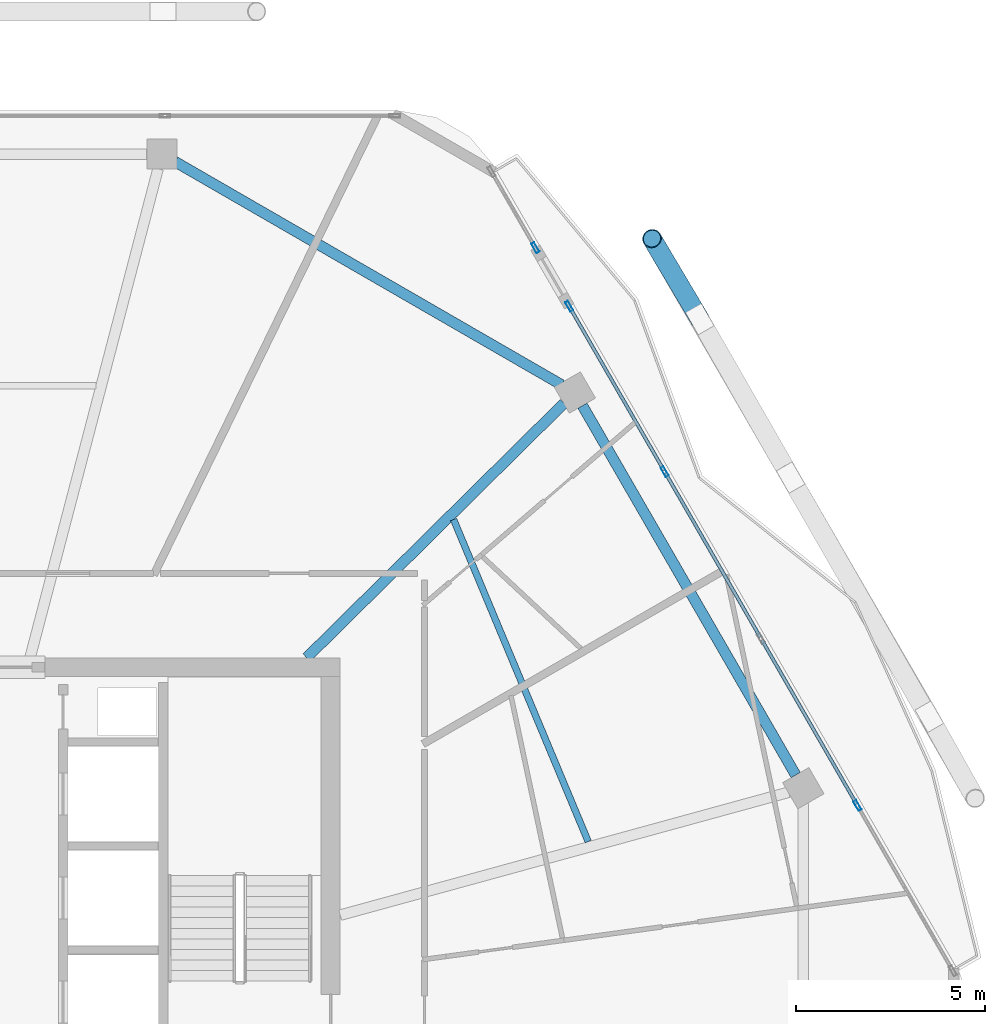
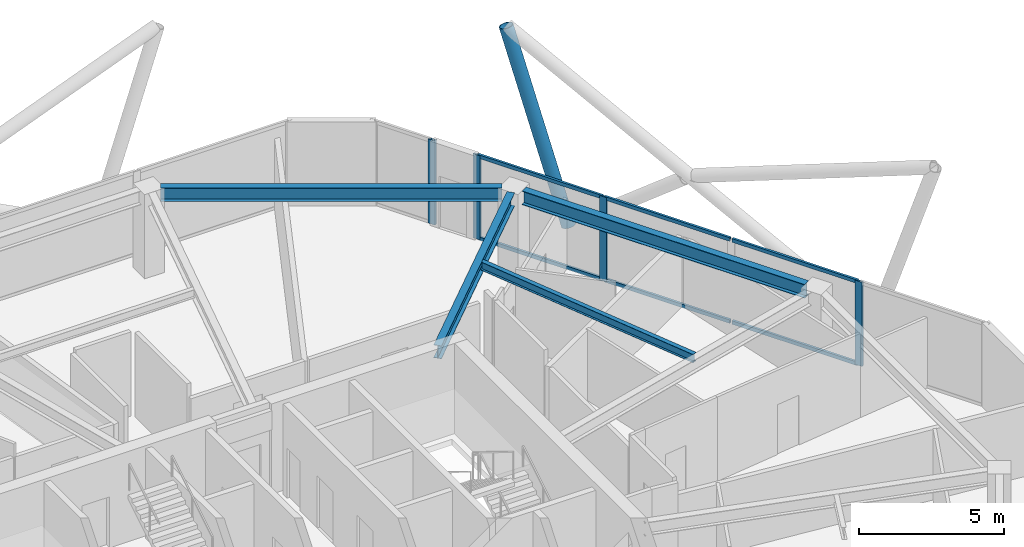
# One storey, part 13 of 24: 11 members, 4 beams, 2 elements without a shape of their own.
"""IFC4 building model written with IfcOpenShell, lengths in metres."""

from ifc_helpers import new_model, si_unit, direction, frame, origin, origin_2d, place, context, subcontext, project, spatial, hollow_rectangle, hollow_circle, i_section, extrude, material, material_profile, profile_set, type_object, element, aggregate, save


model = new_model("IFC4")

# Units and contexts
model_context = context("Model", 3, precision=1e-05, world=origin(), true_north=direction((0.0, 1.0)))
body_context = subcontext(model_context, "Body", "Model", "MODEL_VIEW")
ifc_project = project(units=[si_unit("LENGTHUNIT", "METRE"), si_unit("AREAUNIT", "SQUARE_METRE"), si_unit("VOLUMEUNIT", "CUBIC_METRE"), si_unit("PLANEANGLEUNIT", "RADIAN"), si_unit("MASSUNIT", "GRAM", prefix="KILO")], contexts=[model_context])

# Site, building, storey
site_placement = place(None, origin())
site = spatial("IfcSite", under=ifc_project, at=site_placement, CompositionType="ELEMENT")
building_placement = place(site_placement, origin())
building = spatial("IfcBuilding", under=site, at=building_placement, Name="Zuhravey Tower", CompositionType="ELEMENT")
storey_placement = place(building_placement, frame((0.0, 0.0, 308.199951171875)))
storey = spatial("IfcBuildingStorey", under=building, at=storey_placement, Name="L78", CompositionType="ELEMENT", Elevation=308.199951171875)

# Curtain wall, member
ifc_material_1 = material(Name="Thermally broken anodised aluminium", Category="aluminium")
curtain_wall_type = type_object("IfcCurtainWallType", Name="Zone 3-4 High-Rise Curtain Wall CW4", PredefinedType="NOTDEFINED", material=ifc_material_1)
curtain_wall_1_placement = place(storey_placement, origin())
curtain_wall_1 = element("IfcCurtainWall", 1, at=curtain_wall_1_placement, inside=storey, type_object=curtain_wall_type, Name="L78 CW4 CW-L78-F1-1", PredefinedType="NOTDEFINED")
ifc_material_2 = material(Name="Anodised aluminium", Category="aluminium")
ifc_material_profile_1 = material_profile(ifc_material_2, hollow_rectangle(XDim=0.090087890625, YDim=0.284912109375, WallThickness=0.0048828125, at=origin_2d()), Name="ALU-RHS-90x285x5")
ifc_profile_set_1 = profile_set([ifc_material_profile_1], Name="Anodised aluminium")
member_type_1 = type_object("IfcMemberType", Name="Curtain-Wall Mullion 90x180", PredefinedType="MULLION", material=ifc_profile_set_1)
member_1_placement = place(storey_placement, frame((51.91015625, 52.591064453125, 0.0), z_axis=(0.0, 0.0, 1.0), x_axis=(0.866033385702, 0.499986174659, 0.0)))
member_1 = element("IfcMember", 2, at=member_1_placement, type_object=member_type_1, Name="CW4 mullion 2", PredefinedType="MULLION", context=body_context, shape_type="SweptSolid", body=[
    extrude(hollow_rectangle(XDim=0.090087890625, YDim=0.284912109375, WallThickness=0.0048828125, at=origin_2d()), origin(), (0.0, 0.0, 1.0), 3.550048828125),
])
aggregate(curtain_wall_1, [member_1])

# Curtain wall, members
curtain_wall_2_placement = place(storey_placement, origin())
curtain_wall_2 = element("IfcCurtainWall", 3, at=curtain_wall_2_placement, inside=storey, type_object=curtain_wall_type, Name="L78 CW4 CW-L78-F1-2", PredefinedType="NOTDEFINED")
member_2_placement = place(storey_placement, frame((52.80517578125, 51.040771484375, 0.0), z_axis=(0.0, 0.0, 1.0), x_axis=(0.866023892901, 0.500002616917, 0.0)))
member_2 = element("IfcMember", 4, at=member_2_placement, type_object=member_type_1, Name="CW4 mullion 1", PredefinedType="MULLION", context=body_context, shape_type="SweptSolid", body=[
    extrude(hollow_rectangle(XDim=0.090087890625, YDim=0.284912109375, WallThickness=0.0048828125, at=origin_2d()), origin(), (0.0, 0.0, 1.0), 3.550048828125),
])
member_3_placement = place(storey_placement, frame((55.3291015625, 46.669189453125, 0.0), z_axis=(0.0, 0.0, 1.0), x_axis=(0.866023892901, 0.500002616917, 0.0)))
member_3 = element("IfcMember", 5, at=member_3_placement, type_object=member_type_1, Name="CW4 mullion 2", PredefinedType="MULLION", context=body_context, shape_type="SweptSolid", body=[
    extrude(hollow_rectangle(XDim=0.090087890625, YDim=0.284912109375, WallThickness=0.0048828125, at=origin_2d()), origin(), (0.0, 0.0, 1.0), 3.550048828125),
])
member_4_placement = place(storey_placement, frame((60.421875, 37.84814453125, 0.0), z_axis=(0.0, 0.0, 1.0), x_axis=(0.866023892901, 0.500002616917, 0.0)))
member_4 = element("IfcMember", 6, at=member_4_placement, type_object=member_type_1, Name="CW4 mullion 4", PredefinedType="MULLION", context=body_context, shape_type="SweptSolid", body=[
    extrude(hollow_rectangle(XDim=0.090087890625, YDim=0.284912109375, WallThickness=0.0048828125, at=origin_2d()), origin(), (0.0, 0.0, 1.0), 3.550048828125),
])
ifc_material_profile_2 = material_profile(ifc_material_2, hollow_rectangle(XDim=0.090087890625, YDim=0.14990234375, WallThickness=0.0048828125, at=origin_2d()), Name="ALU-RHS-90x150x5")
ifc_profile_set_2 = profile_set([ifc_material_profile_2], Name="Anodised aluminium")
member_type_2 = type_object("IfcMemberType", Name="Curtain-Wall Transom 90x150", PredefinedType="USERDEFINED", material=ifc_profile_set_2)
member_5_placement = place(storey_placement, frame((52.82763671875, 51.001708984375, 0.045166015625), z_axis=(0.500005200548, -0.866022401226, 0.0), x_axis=(0.866022401226, 0.500005200548, 0.0)))
member_5 = element("IfcMember", 7, at=member_5_placement, type_object=member_type_2, Name="CW4 transom 1.1", ObjectType="TRANSOM", PredefinedType="USERDEFINED", context=body_context, shape_type="SweptSolid", body=[
    extrude(hollow_rectangle(XDim=0.090087890625, YDim=0.14990234375, WallThickness=0.0048828125, at=origin_2d()), origin(), (0.0, 0.0, 1.0), 4.9580078125),
])
member_6_placement = place(storey_placement, frame((52.82763671875, 51.001708984375, 3.505126953125), z_axis=(0.500005200548, -0.866022401226, 0.0), x_axis=(0.866022401226, 0.500005200548, 0.0)))
member_6 = element("IfcMember", 8, at=member_6_placement, type_object=member_type_2, Name="CW4 transom 1.2", ObjectType="TRANSOM", PredefinedType="USERDEFINED", context=body_context, shape_type="SweptSolid", body=[
    extrude(hollow_rectangle(XDim=0.090087890625, YDim=0.14990234375, WallThickness=0.0048828125, at=origin_2d()), origin(), (0.0, 0.0, 1.0), 4.9580078125),
])
member_7_placement = place(storey_placement, frame((55.3515625, 46.630126953125, 0.045166015625), z_axis=(0.500012521841, -0.866018174175, 0.0), x_axis=(0.866018174175, 0.500012521841, 0.0)))
member_7 = element("IfcMember", 9, at=member_7_placement, type_object=member_type_2, Name="CW4 transom 2.1", ObjectType="TRANSOM", PredefinedType="USERDEFINED", context=body_context, shape_type="SweptSolid", body=[
    extrude(hollow_rectangle(XDim=0.090087890625, YDim=0.14990234375, WallThickness=0.0048828125, at=origin_2d()), origin(), (0.0, 0.0, 1.0), 5.002685546875),
])
member_8_placement = place(storey_placement, frame((55.3515625, 46.630126953125, 3.505126953125), z_axis=(0.500012521841, -0.866018174175, 0.0), x_axis=(0.866018174175, 0.500012521841, 0.0)))
member_8 = element("IfcMember", 10, at=member_8_placement, type_object=member_type_2, Name="CW4 transom 2.2", ObjectType="TRANSOM", PredefinedType="USERDEFINED", context=body_context, shape_type="SweptSolid", body=[
    extrude(hollow_rectangle(XDim=0.090087890625, YDim=0.14990234375, WallThickness=0.0048828125, at=origin_2d()), origin(), (0.0, 0.0, 1.0), 5.002685546875),
])
member_9_placement = place(storey_placement, frame((57.89794921875, 42.2197265625, 0.045166015625), z_axis=(0.499991390887, -0.866030374201, 0.0), x_axis=(0.866030374201, 0.499991390887, 0.0)))
member_9 = element("IfcMember", 11, at=member_9_placement, type_object=member_type_2, Name="CW4 transom 3.1", ObjectType="TRANSOM", PredefinedType="USERDEFINED", context=body_context, shape_type="SweptSolid", body=[
    extrude(hollow_rectangle(XDim=0.090087890625, YDim=0.14990234375, WallThickness=0.0048828125, at=origin_2d()), origin(), (0.0, 0.0, 1.0), 5.0029296875),
])
member_10_placement = place(storey_placement, frame((57.89794921875, 42.2197265625, 3.505126953125), z_axis=(0.499991390887, -0.866030374201, 0.0), x_axis=(0.866030374201, 0.499991390887, 0.0)))
member_10 = element("IfcMember", 12, at=member_10_placement, type_object=member_type_2, Name="CW4 transom 3.2", ObjectType="TRANSOM", PredefinedType="USERDEFINED", context=body_context, shape_type="SweptSolid", body=[
    extrude(hollow_rectangle(XDim=0.090087890625, YDim=0.14990234375, WallThickness=0.0048828125, at=origin_2d()), origin(), (0.0, 0.0, 1.0), 5.0029296875),
])
aggregate(curtain_wall_2, [member_2, member_3, member_4, member_5, member_6, member_7, member_8, member_9, member_10])

# Member
ifc_material_3 = material(Name="Steel SM355", Category="steel")
ifc_material_profile_3 = material_profile(ifc_material_3, hollow_circle(Radius=0.25390625, WallThickness=0.02490234375, at=origin_2d()), Name="CHS-508.0x25")
ifc_profile_set_3 = profile_set([ifc_material_profile_3], Name="Steel SM355")
member_type_3 = type_object("IfcMemberType", Name="Exoskeleton Zone 4 Diagrid CHS508x25", PredefinedType="BRACE", material=ifc_profile_set_3)
member_11_placement = place(storey_placement, frame((56.254638671875, 50.7060546875, -0.447998046875), z_axis=(-0.158476866011, 0.26696973597, 0.950585210812), x_axis=(-0.859906229108, -0.510452032165, 0.0)))
element("IfcMember", 13, at=member_11_placement, inside=storey, type_object=member_type_3, Name="L78 Face 1 Diagrid Brace 4", PredefinedType="BRACE", context=body_context, shape_type="SweptSolid", body=[
    extrude(hollow_circle(Radius=0.25390625, WallThickness=0.02490234375, at=origin_2d()), origin(), (0.0, 0.0, 1.0), 7.96142578125),
])

# Beams
ifc_material_profile_4 = material_profile(ifc_material_3, i_section(OverallWidth=0.280029296875, OverallDepth=0.580078125, WebThickness=0.011962890625, FlangeThickness=0.01904296875, at=origin_2d()), Name="H-580x280x12x19")
ifc_profile_set_4 = profile_set([ifc_material_profile_4], Name="Steel SM355")
beam_type_1 = type_object("IfcBeamType", Name="Perimeter Ring Beam H580x280", PredefinedType="BEAM", material=ifc_profile_set_4)
beam_1_placement = place(storey_placement, frame((58.7919921875, 38.6513671875, 3.260009765625), z_axis=(-0.500006198144, 0.866021825255, 0.0), x_axis=(-0.866021825255, -0.500006198144, 0.0)))
element("IfcBeam", 14, at=beam_1_placement, inside=storey, type_object=beam_type_1, Name="L78 PB4 BM-L78-PB-01", PredefinedType="BEAM", context=body_context, shape_type="SweptSolid", body=[
    extrude(i_section(OverallWidth=0.280029296875, OverallDepth=0.580078125, WebThickness=0.011962890625, FlangeThickness=0.01904296875, at=origin_2d()), origin(), (0.0, 0.0, 1.0), 11.271240234375),
])
beam_2_placement = place(storey_placement, frame((52.605712890625, 48.963134765625, 3.260009765625), z_axis=(-0.866023977509, 0.500002470373, 0.0), x_axis=(-0.500002470373, -0.866023977509, 0.0)))
element("IfcBeam", 15, at=beam_2_placement, inside=storey, type_object=beam_type_1, Name="L78 PB4 BM-L78-PB-02", PredefinedType="BEAM", context=body_context, shape_type="SweptSolid", body=[
    extrude(i_section(OverallWidth=0.280029296875, OverallDepth=0.580078125, WebThickness=0.011962890625, FlangeThickness=0.01904296875, at=origin_2d()), origin(), (0.0, 0.0, 1.0), 11.798828125),
])
ifc_material_profile_5 = material_profile(ifc_material_3, i_section(OverallWidth=0.280029296875, OverallDepth=0.550048828125, WebThickness=0.010986328125, FlangeThickness=0.01806640625, at=origin_2d()), Name="H-550x280x11x18")
ifc_profile_set_5 = profile_set([ifc_material_profile_5], Name="Steel SM355")
beam_type_2 = type_object("IfcBeamType", Name="Radial Primary Girder H550x280", PredefinedType="BEAM", material=ifc_profile_set_5)
beam_3_placement = place(storey_placement, frame((45.865234375, 41.7529296875, 3.275146484375), z_axis=(0.711153035666, 0.703037239314, 0.0), x_axis=(-0.703037239314, 0.711153035666, 0.0)))
element("IfcBeam", 16, at=beam_3_placement, inside=storey, type_object=beam_type_2, Name="L78 RG4 BM-L78-RAD-02", PredefinedType="BEAM", context=body_context, shape_type="SweptSolid", body=[
    extrude(i_section(OverallWidth=0.280029296875, OverallDepth=0.550048828125, WebThickness=0.010986328125, FlangeThickness=0.01806640625, at=origin_2d()), origin(), (0.0, 0.0, 1.0), 9.566162109375),
])
ifc_material_profile_6 = material_profile(ifc_material_3, i_section(OverallWidth=0.175048828125, OverallDepth=0.35009765625, WebThickness=0.007080078125, FlangeThickness=0.010986328125, at=origin_2d()), Name="H-350x175x7x11")
ifc_profile_set_6 = profile_set([ifc_material_profile_6], Name="Steel SM355")
beam_type_3 = type_object("IfcBeamType", Name="Secondary Floor Joist H350x175", PredefinedType="JOIST", material=ifc_profile_set_6)
beam_4_placement = place(storey_placement, frame((53.307373046875, 36.891845703125, 3.375), z_axis=(-0.385657891576, 0.922641853953, 0.0), x_axis=(-0.922641853953, -0.385657891576, 0.0)))
element("IfcBeam", 17, at=beam_4_placement, inside=storey, type_object=beam_type_3, Name="L78 SJ3 BM-L78-SJ-01-1", PredefinedType="JOIST", context=body_context, shape_type="SweptSolid", body=[
    extrude(i_section(OverallWidth=0.175048828125, OverallDepth=0.35009765625, WebThickness=0.007080078125, FlangeThickness=0.010986328125, at=origin_2d()), origin(), (0.0, 0.0, 1.0), 9.226806640625),
])

save(model, "model.ifc")
